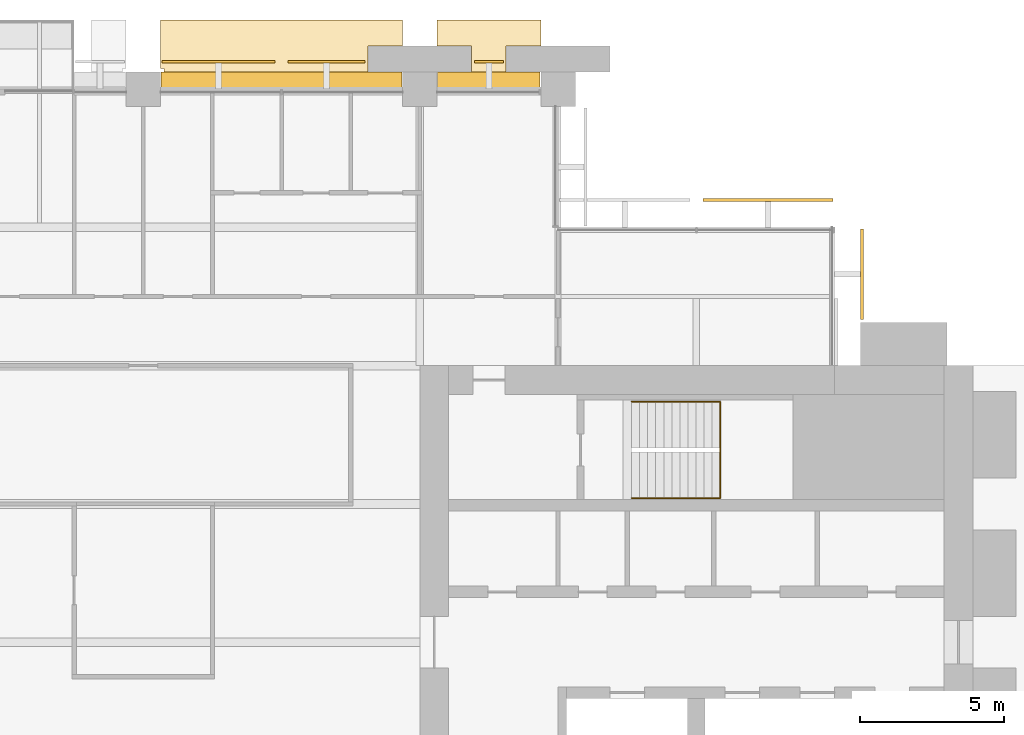
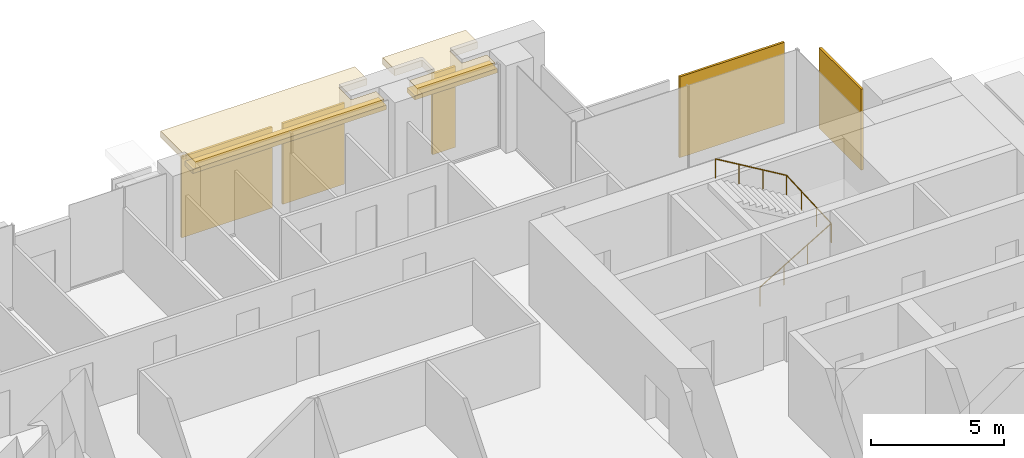
# One storey, part 15 of 15: 7 coverings, 2 shading devices, 1 railing.
"""IFC4 building model written with IfcOpenShell, lengths in metres."""

from ifc_helpers import new_model, si_unit, direction, frame, origin, origin_2d, place, context, subcontext, project, spatial, polyline, rectangle, circle, outline, extrude, material, layer, layer_set, type_object, element, save


model = new_model("IFC4")

# Units and contexts
model_context = context("Model", 3, precision=1e-05, world=origin(), true_north=direction((0.0, 1.0)))
body_context = subcontext(model_context, "Body", "Model", "MODEL_VIEW")
ifc_project = project(units=[si_unit("LENGTHUNIT", "METRE"), si_unit("AREAUNIT", "SQUARE_METRE"), si_unit("VOLUMEUNIT", "CUBIC_METRE"), si_unit("PLANEANGLEUNIT", "RADIAN"), si_unit("MASSUNIT", "GRAM", prefix="KILO")], contexts=[model_context])

# Site, building, storey
site_placement = place(None, origin())
site = spatial("IfcSite", under=ifc_project, at=site_placement, CompositionType="ELEMENT")
building_placement = place(site_placement, origin())
building = spatial("IfcBuilding", under=site, at=building_placement, Name="Baori Bourse Tower", CompositionType="ELEMENT")
storey_placement = place(building_placement, frame((0.0, 0.0, 128.10009765625)))
storey = spatial("IfcBuildingStorey", under=building, at=storey_placement, Name="L27", CompositionType="ELEMENT", Elevation=128.10009765625)

# Coverings
ifc_material_1 = material(Name="Pale anodised aluminium", Category="aluminium")
covering_type_1 = type_object("IfcCoveringType", Name="BD1 Pale metal band", PredefinedType="CLADDING", material=ifc_material_1)
covering_1_placement = place(storey_placement, frame((0.0, 0.0, 3.539794921875)))
element("IfcCovering", 1, at=covering_1_placement, inside=storey, type_object=covering_type_1, Name="Pale projecting band L27 2", PredefinedType="CLADDING", context=body_context, shape_type="SweptSolid", body=[
    extrude(outline(polyline([(39.1201171875, 48.0), (42.47998046875, 48.0), (42.47998046875, 48.60009765625), (41.39990234375, 48.60009765625), (41.39990234375, 49.5), (42.60009765625, 49.5), (42.60009765625, 50.39990234375), (39.0, 50.39990234375), (39.0, 49.5), (40.199951171875, 49.5), (40.199951171875, 48.60009765625), (39.1201171875, 48.60009765625), (39.1201171875, 48.0)])), origin(), (0.0, 0.0, 1.0), 0.300048828125),
])
covering_2_placement = place(storey_placement, frame((0.0, 0.0, 3.539794921875)))
element("IfcCovering", 2, at=covering_2_placement, inside=storey, type_object=covering_type_1, Name="Pale projecting band L27 3", PredefinedType="CLADDING", context=body_context, shape_type="SweptSolid", body=[
    extrude(outline(polyline([(29.52001953125, 48.0), (37.679931640625, 48.0), (37.679931640625, 48.60009765625), (36.60009765625, 48.60009765625), (36.60009765625, 49.5), (37.800048828125, 49.5), (37.800048828125, 50.39990234375), (29.39990234375, 50.39990234375), (29.39990234375, 48.719970703125), (29.52001953125, 48.719970703125), (29.52001953125, 48.0)])), origin(), (0.0, 0.0, 1.0), 0.300048828125),
])

# Shading devices
ifc_material_2 = material(Name="Concrete f'c 40 MPa", Category="concrete")
ifc_layer_1 = layer(ifc_material_2, 0.199951171875)
ifc_layer_set_1 = layer_set([ifc_layer_1], Name="BS1 Brise-soleil ledge")
shading_device_type = type_object("IfcShadingDeviceType", Name="BS1 Brise-soleil ledge", PredefinedType="USERDEFINED", material=ifc_layer_set_1)
shading_device_1_placement = place(storey_placement, frame((40.800048828125, 48.300048828125, 3.33984375), z_axis=(0.0, 0.0, 1.0), x_axis=(-1.0, 0.0, 0.0)))
element("IfcShadingDevice", 3, at=shading_device_1_placement, inside=storey, type_object=shading_device_type, Name="Brise-soleil ledge L27 1", ObjectType="BRISE SOLEIL", PredefinedType="USERDEFINED", context=body_context, shape_type="SweptSolid", body=[
    extrude(rectangle(XDim=3.56005859375, YDim=0.60009765625, at=origin_2d()), origin(), (0.0, 0.0, 1.0), 0.199951171875),
])
shading_device_2_placement = place(storey_placement, frame((33.60009765625, 48.300048828125, 3.33984375), z_axis=(0.0, 0.0, 1.0), x_axis=(-1.0, 0.0, 0.0)))
element("IfcShadingDevice", 4, at=shading_device_2_placement, inside=storey, type_object=shading_device_type, Name="Brise-soleil ledge L27 2", ObjectType="BRISE SOLEIL", PredefinedType="USERDEFINED", context=body_context, shape_type="SweptSolid", body=[
    extrude(rectangle(XDim=8.360107421875, YDim=0.60009765625, at=origin_2d()), origin(), (0.0, 0.0, 1.0), 0.199951171875),
])

# Railing
ifc_material_3 = material(Name="Powder-coated steel balustrade", Category="steel")
railing_type = type_object("IfcRailingType", Name="Core stair handrail", PredefinedType="HANDRAIL", material=ifc_material_3)
railing_placement = place(storey_placement, frame((45.75, 33.800048828125, 0.16650390625)))
element("IfcRailing", 5, at=railing_placement, inside=storey, type_object=railing_type, Name="L27 ST4 stair handrail 1", PredefinedType="HANDRAIL", context=body_context, shape_type="SweptSolid", body=[
    extrude(circle(Radius=0.02392578125, at=origin_2d()), frame((0.0, 0.0, 0.8759765625), z_axis=(0.85927862911, 0.0, 0.511507807912), x_axis=(0.0, 1.0, 0.0)), (0.0, 0.0, 1.0), 3.58447265625),
    extrude(circle(Radius=0.02392578125, at=origin_2d()), frame((3.080078125, 0.0, 2.70947265625), z_axis=(0.0, 0.998766999029, 0.049643545903), x_axis=(-1.0, 0.0, 0.0)), (0.0, 0.0, 1.0), 3.35400390625),
    extrude(circle(Radius=0.02392578125, at=origin_2d()), frame((3.080078125, 3.349853515625, 2.8759765625), z_axis=(-0.85927862911, 0.0, 0.511507807912), x_axis=(0.0, -1.0, 0.0)), (0.0, 0.0, 1.0), 3.58447265625),
    extrude(circle(Radius=0.02099609375, at=origin_2d()), origin(), (0.0, 0.0, 1.0), 0.851806640625),
    extrude(circle(Radius=0.02099609375, at=origin_2d()), frame((1.026611328125, 0.0, 0.611083984375)), (0.0, 0.0, 1.0), 0.851806640625),
    extrude(circle(Radius=0.02099609375, at=origin_2d()), frame((2.053466796875, 0.0, 1.222412109375)), (0.0, 0.0, 1.0), 0.851806640625),
    extrude(circle(Radius=0.02099609375, at=origin_2d()), frame((3.080078125, 0.0, 1.83349609375)), (0.0, 0.0, 1.0), 0.851806640625),
    extrude(circle(Radius=0.02099609375, at=origin_2d()), frame((3.080078125, 1.11669921875, 1.888916015625)), (0.0, 0.0, 1.0), 0.851806640625),
    extrude(circle(Radius=0.02099609375, at=origin_2d()), frame((3.080078125, 2.233154296875, 1.944580078125)), (0.0, 0.0, 1.0), 0.851806640625),
    extrude(circle(Radius=0.02099609375, at=origin_2d()), frame((3.080078125, 3.349853515625, 2.0)), (0.0, 0.0, 1.0), 0.851806640625),
    extrude(circle(Radius=0.02099609375, at=origin_2d()), frame((2.053466796875, 3.349853515625, 2.611083984375)), (0.0, 0.0, 1.0), 0.851806640625),
    extrude(circle(Radius=0.02099609375, at=origin_2d()), frame((1.026611328125, 3.349853515625, 3.222412109375)), (0.0, 0.0, 1.0), 0.851806640625),
    extrude(circle(Radius=0.02099609375, at=origin_2d()), frame((0.0, 3.349853515625, 3.83349609375)), (0.0, 0.0, 1.0), 0.851806640625),
])

# Coverings
ifc_material_4 = material(Name="Pale anodised aluminium", Category="aluminium")
ifc_layer_2 = layer(ifc_material_4, 0.10009765625)
ifc_layer_set_2 = layer_set([ifc_layer_2], Name="OS3 Outer skin screen panel")
covering_type_2 = type_object("IfcCoveringType", Name="OS3 Outer skin screen panel", PredefinedType="CLADDING", material=ifc_layer_set_2)
covering_3_placement = place(storey_placement, frame((0.0, 0.0, -0.16015625)))
element("IfcCovering", 6, at=covering_3_placement, inside=storey, type_object=covering_type_2, Name="Outer skin screen L27 1", PredefinedType="CLADDING", context=body_context, shape_type="SweptSolid", body=[
    extrude(outline(polyline([(53.699951171875, 43.14990234375), (53.699951171875, 40.0), (53.800048828125, 40.0), (53.800048828125, 43.14990234375), (53.699951171875, 43.14990234375)])), origin(), (0.0, 0.0, 1.0), 3.699951171875),
])
covering_4_placement = place(storey_placement, frame((0.0, 0.0, -0.16015625)))
element("IfcCovering", 7, at=covering_4_placement, inside=storey, type_object=covering_type_2, Name="Outer skin screen L27 2", PredefinedType="CLADDING", context=body_context, shape_type="SweptSolid", body=[
    extrude(outline(polyline([(48.22509765625, 44.10009765625), (52.75, 44.10009765625), (52.75, 44.199951171875), (48.22509765625, 44.199951171875), (48.22509765625, 44.10009765625)])), origin(), (0.0, 0.0, 1.0), 3.699951171875),
])
covering_5_placement = place(storey_placement, frame((0.0, 0.0, -0.16015625)))
element("IfcCovering", 8, at=covering_5_placement, inside=storey, type_object=covering_type_2, Name="Outer skin screen L27 5", PredefinedType="CLADDING", context=body_context, shape_type="SweptSolid", body=[
    extrude(outline(polyline([(40.300048828125, 48.89990234375), (41.300048828125, 48.89990234375), (41.300048828125, 49.0), (40.300048828125, 49.0), (40.300048828125, 48.89990234375)])), origin(), (0.0, 0.0, 1.0), 3.699951171875),
])
covering_6_placement = place(storey_placement, frame((0.0, 0.0, -0.16015625)))
element("IfcCovering", 9, at=covering_6_placement, inside=storey, type_object=covering_type_2, Name="Outer skin screen L27 6", PredefinedType="CLADDING", context=body_context, shape_type="SweptSolid", body=[
    extrude(outline(polyline([(33.824951171875, 48.89990234375), (36.5, 48.89990234375), (36.5, 49.0), (33.824951171875, 49.0), (33.824951171875, 48.89990234375)])), origin(), (0.0, 0.0, 1.0), 3.699951171875),
])
covering_7_placement = place(storey_placement, frame((0.0, 0.0, -0.16015625)))
element("IfcCovering", 10, at=covering_7_placement, inside=storey, type_object=covering_type_2, Name="Outer skin screen L27 7", PredefinedType="CLADDING", context=body_context, shape_type="SweptSolid", body=[
    extrude(outline(polyline([(29.449951171875, 48.89990234375), (33.375, 48.89990234375), (33.375, 49.0), (29.449951171875, 49.0), (29.449951171875, 48.89990234375)])), origin(), (0.0, 0.0, 1.0), 3.699951171875),
])

save(model, "model.ifc")
